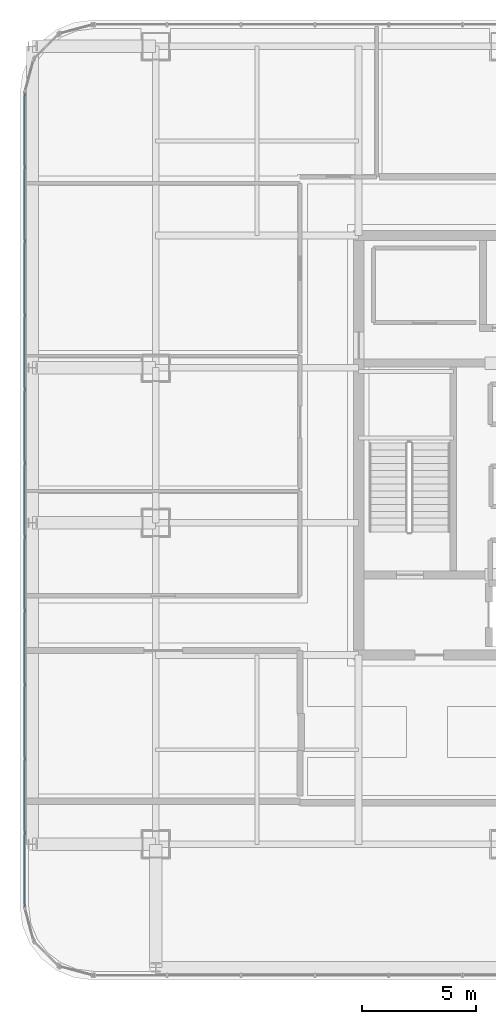
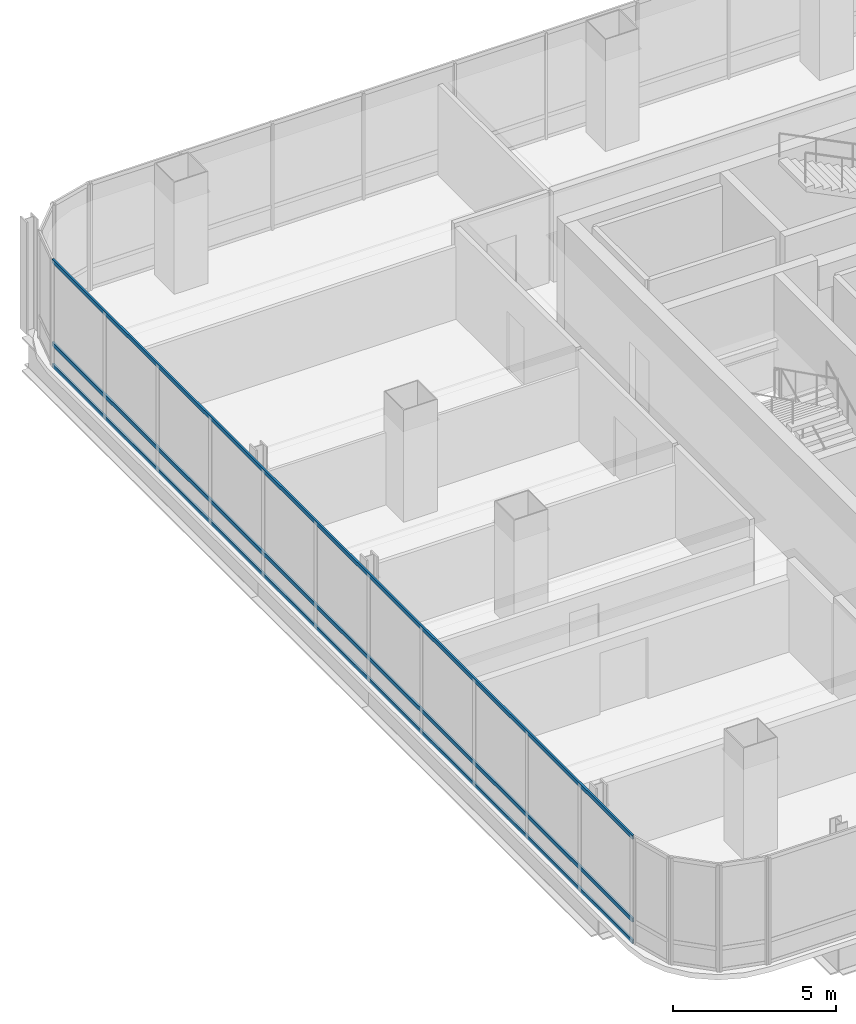
# One storey, part 11 of 42: 3 members, 1 element without a shape of its own.
"""IFC4 building model written with IfcOpenShell, lengths in metres."""

from ifc_helpers import new_model, si_unit, direction, frame, origin, origin_2d, place, context, subcontext, project, spatial, hollow_rectangle, extrude, material, material_profile, profile_set, type_object, element, aggregate, save


model = new_model("IFC4")

# Units and contexts
model_context = context("Model", 3, precision=1e-05, world=origin(), true_north=direction((0.0, 1.0)))
body_context = subcontext(model_context, "Body", "Model", "MODEL_VIEW")
ifc_project = project(units=[si_unit("LENGTHUNIT", "METRE"), si_unit("AREAUNIT", "SQUARE_METRE"), si_unit("VOLUMEUNIT", "CUBIC_METRE"), si_unit("PLANEANGLEUNIT", "RADIAN"), si_unit("MASSUNIT", "GRAM", prefix="KILO")], contexts=[model_context])

# Site, building, storey
site_placement = place(None, origin())
site = spatial("IfcSite", under=ifc_project, at=site_placement, CompositionType="ELEMENT")
building_placement = place(site_placement, origin())
building = spatial("IfcBuilding", under=site, at=building_placement, Name="Punatoya Terracotta Tower", CompositionType="ELEMENT")
storey_placement = place(building_placement, frame((0.0, 0.0, 325.800048828125)))
storey = spatial("IfcBuildingStorey", under=building, at=storey_placement, Name="L77", CompositionType="ELEMENT", Elevation=325.800048828125)

# Curtain wall, members
ifc_material_1 = material(Name="Aluminium 6063-T6 + Double Low-E Glass", Category="aluminium")
curtain_wall_type = type_object("IfcCurtainWallType", Name="CW-OBS", PredefinedType="NOTDEFINED", material=ifc_material_1)
curtain_wall_placement = place(storey_placement, origin())
curtain_wall = element("IfcCurtainWall", 1, at=curtain_wall_placement, inside=storey, type_object=curtain_wall_type, Name="L77 Curtain Wall CW-L77-W13-1", PredefinedType="NOTDEFINED")
ifc_material_2 = material(Name="Aluminium 6063-T6", Category="aluminium")
ifc_material_profile = material_profile(ifc_material_2, hollow_rectangle(XDim=0.068115234375, YDim=0.14990234375, WallThickness=0.00390625, at=origin_2d()))
ifc_profile_set = profile_set([ifc_material_profile], Name="Aluminium 6063-T6")
member_type = type_object("IfcMemberType", Name="CW-TRN-TYP", PredefinedType="USERDEFINED", material=ifc_profile_set)
member_1_placement = place(storey_placement, frame((-24.85009765625, 15.43701171875, 0.0400390625), z_axis=(0.0, -1.0, 0.0), x_axis=(1.0, 0.0, 0.0)))
member_1 = element("IfcMember", 2, at=member_1_placement, type_object=member_type, Name="CW-L77-W13-1 Transom 1", ObjectType="TRANSOM", PredefinedType="USERDEFINED", context=body_context, shape_type="SweptSolid", body=[
    extrude(hollow_rectangle(XDim=0.068115234375, YDim=0.14990234375, WallThickness=0.00390625, at=origin_2d()), origin(), (0.0, 0.0, 1.0), 35.673828125),
])
member_2_placement = place(storey_placement, frame((-24.85009765625, 15.43701171875, 0.849853515625), z_axis=(0.0, -1.0, 0.0), x_axis=(1.0, 0.0, 0.0)))
member_2 = element("IfcMember", 3, at=member_2_placement, type_object=member_type, Name="CW-L77-W13-1 Transom 2", ObjectType="TRANSOM", PredefinedType="USERDEFINED", context=body_context, shape_type="SweptSolid", body=[
    extrude(hollow_rectangle(XDim=0.068115234375, YDim=0.14990234375, WallThickness=0.00390625, at=origin_2d()), origin(), (0.0, 0.0, 1.0), 35.673828125),
])
member_3_placement = place(storey_placement, frame((-24.85009765625, 15.43701171875, 3.9599609375), z_axis=(0.0, -1.0, 0.0), x_axis=(1.0, 0.0, 0.0)))
member_3 = element("IfcMember", 4, at=member_3_placement, type_object=member_type, Name="CW-L77-W13-1 Transom 3", ObjectType="TRANSOM", PredefinedType="USERDEFINED", context=body_context, shape_type="SweptSolid", body=[
    extrude(hollow_rectangle(XDim=0.068115234375, YDim=0.14990234375, WallThickness=0.00390625, at=origin_2d()), origin(), (0.0, 0.0, 1.0), 35.673828125),
])
aggregate(curtain_wall, [member_1, member_2, member_3])

save(model, "model.ifc")
